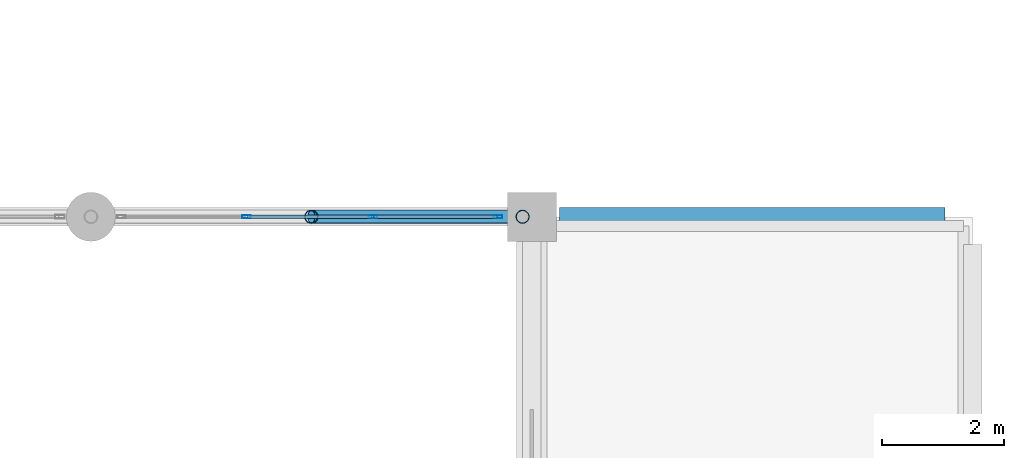
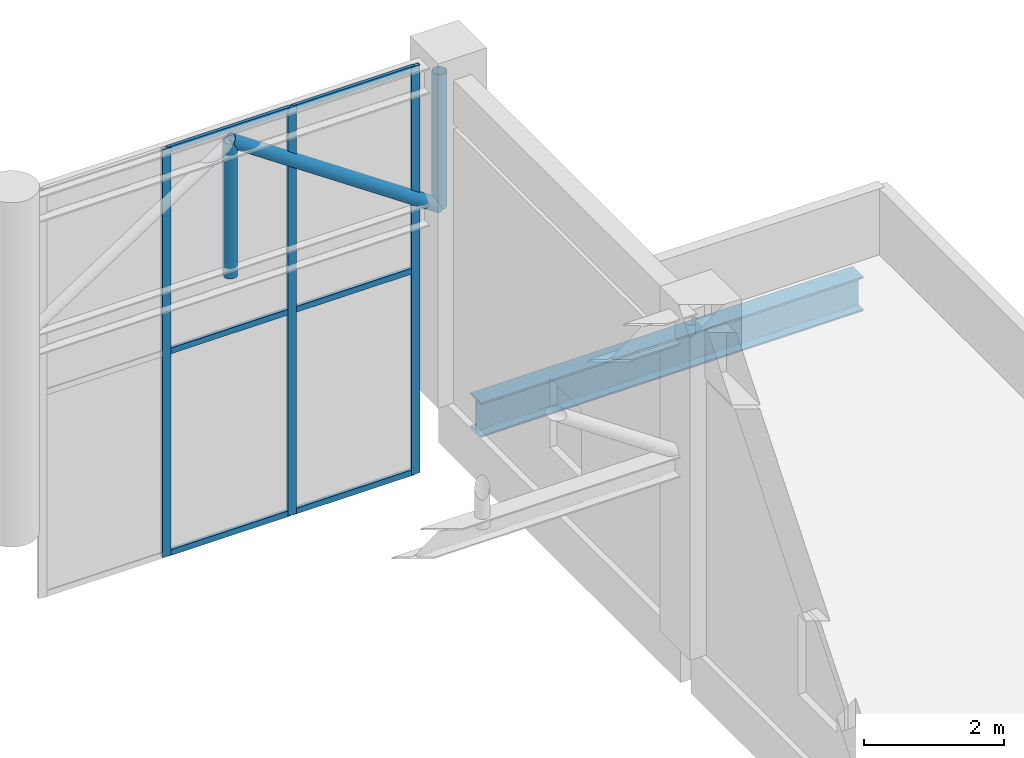
# One storey, part 108 of 153: 12 members, 1 beam, 1 element without a shape of its own.
"""IFC4 building model written with IfcOpenShell, lengths in metres."""

from ifc_helpers import new_model, si_unit, direction, frame, origin, origin_2d, place, context, subcontext, project, spatial, hollow_rectangle, hollow_circle, i_section, extrude, material, material_profile, profile_set, type_object, element, aggregate, save


model = new_model("IFC4")

# Units and contexts
model_context = context("Model", 3, precision=1e-05, world=origin(), true_north=direction((0.0, 1.0)))
body_context = subcontext(model_context, "Body", "Model", "MODEL_VIEW")
ifc_project = project(units=[si_unit("LENGTHUNIT", "METRE"), si_unit("AREAUNIT", "SQUARE_METRE"), si_unit("VOLUMEUNIT", "CUBIC_METRE"), si_unit("PLANEANGLEUNIT", "RADIAN"), si_unit("MASSUNIT", "GRAM", prefix="KILO")], contexts=[model_context])

# Site, building, storey
site_placement = place(None, origin())
site = spatial("IfcSite", under=ifc_project, at=site_placement, CompositionType="ELEMENT")
building_placement = place(site_placement, origin())
building = spatial("IfcBuilding", under=site, at=building_placement, Name="Qandorah Velis Arena", CompositionType="ELEMENT")
storey_placement = place(building_placement, frame((0.0, 0.0, 5.39990234375)))
storey = spatial("IfcBuildingStorey", under=building, at=storey_placement, Name="L01", CompositionType="ELEMENT", Elevation=5.39990234375)

# Curtain wall, members
ifc_material_1 = material(Name="Solar-control low-E double glazing", Category="glass")
curtain_wall_type = type_object("IfcCurtainWallType", Name="ARC-CW-SYS20", PredefinedType="USERDEFINED", material=ifc_material_1)
curtain_wall_placement = place(storey_placement, origin())
curtain_wall = element("IfcCurtainWall", 1, at=curtain_wall_placement, inside=storey, type_object=curtain_wall_type, Name="Unitised curtain wall L01-164", ObjectType="UNITISED CURTAIN WALL", PredefinedType="USERDEFINED")
ifc_material_2 = material(Name="Champagne-bronze anodized aluminium 6063-T6", Category="aluminium")
ifc_material_profile_1 = material_profile(ifc_material_2, hollow_rectangle(XDim=0.054931640625, YDim=0.139892578125, WallThickness=0.0029296875, at=origin_2d()), Name="ALU MULLION 55x140")
ifc_profile_set_1 = profile_set([ifc_material_profile_1], Name="Champagne-bronze anodized aluminium 6063-T6")
member_type_1 = type_object("IfcMemberType", Name="ARC-CWM-140", PredefinedType="MULLION", material=ifc_profile_set_1)
member_1_placement = place(storey_placement, frame((160.941650390625, 122.39990234375, -1.31494140625), z_axis=(0.0, 0.0, 1.0), x_axis=(0.0, 1.0, 0.0)))
member_1 = element("IfcMember", 2, at=member_1_placement, type_object=member_type_1, Name="CW20 mullion 2", PredefinedType="MULLION", context=body_context, shape_type="SweptSolid", body=[
    extrude(hollow_rectangle(XDim=0.054931640625, YDim=0.139892578125, WallThickness=0.0029296875, at=origin_2d()), origin(), (0.0, 0.0, 1.0), 7.110107421875),
])
member_2_placement = place(storey_placement, frame((163.00830078125, 122.39990234375, -1.31494140625), z_axis=(0.0, 0.0, 1.0), x_axis=(0.0, 1.0, 0.0)))
member_2 = element("IfcMember", 3, at=member_2_placement, type_object=member_type_1, Name="CW20 mullion 3", PredefinedType="MULLION", context=body_context, shape_type="SweptSolid", body=[
    extrude(hollow_rectangle(XDim=0.054931640625, YDim=0.139892578125, WallThickness=0.0029296875, at=origin_2d()), origin(), (0.0, 0.0, 1.0), 7.110107421875),
])
member_3_placement = place(storey_placement, frame((165.047607421875, 122.39990234375, -1.31494140625), z_axis=(0.0, 0.0, 1.0), x_axis=(0.0, 1.0, 0.0)))
member_3 = element("IfcMember", 4, at=member_3_placement, type_object=member_type_1, Name="CW20 mullion 4", PredefinedType="MULLION", context=body_context, shape_type="SweptSolid", body=[
    extrude(hollow_rectangle(XDim=0.054931640625, YDim=0.139892578125, WallThickness=0.0029296875, at=origin_2d()), origin(), (0.0, 0.0, 1.0), 7.110107421875),
])
ifc_material_profile_2 = material_profile(ifc_material_2, hollow_rectangle(XDim=0.054931640625, YDim=0.10009765625, WallThickness=0.0029296875, at=origin_2d()), Name="ALU TRANSOM 55x100")
ifc_profile_set_2 = profile_set([ifc_material_profile_2], Name="Champagne-bronze anodized aluminium 6063-T6")
member_type_2 = type_object("IfcMemberType", Name="ARC-CWT-100", PredefinedType="USERDEFINED", material=ifc_profile_set_2)
member_4_placement = place(storey_placement, frame((160.957275390625, 122.39990234375, -1.2724609375), z_axis=(1.0, 0.0, 0.0), x_axis=(0.0, 1.0, 0.0)))
member_4 = element("IfcMember", 5, at=member_4_placement, type_object=member_type_2, Name="CW20 transom 2.1", ObjectType="TRANSOM", PredefinedType="USERDEFINED", context=body_context, shape_type="SweptSolid", body=[
    extrude(hollow_rectangle(XDim=0.054931640625, YDim=0.10009765625, WallThickness=0.0029296875, at=origin_2d()), origin(), (0.0, 0.0, 1.0), 2.03564453125),
])
member_5_placement = place(storey_placement, frame((160.957275390625, 122.39990234375, 2.239990234375), z_axis=(1.0, 0.0, 0.0), x_axis=(0.0, 1.0, 0.0)))
member_5 = element("IfcMember", 6, at=member_5_placement, type_object=member_type_2, Name="CW20 transom 2.2", ObjectType="TRANSOM", PredefinedType="USERDEFINED", context=body_context, shape_type="SweptSolid", body=[
    extrude(hollow_rectangle(XDim=0.054931640625, YDim=0.10009765625, WallThickness=0.0029296875, at=origin_2d()), origin(), (0.0, 0.0, 1.0), 2.03564453125),
])
member_6_placement = place(storey_placement, frame((160.957275390625, 122.39990234375, 5.752685546875), z_axis=(1.0, 0.0, 0.0), x_axis=(0.0, 1.0, 0.0)))
member_6 = element("IfcMember", 7, at=member_6_placement, type_object=member_type_2, Name="CW20 transom 2.3", ObjectType="TRANSOM", PredefinedType="USERDEFINED", context=body_context, shape_type="SweptSolid", body=[
    extrude(hollow_rectangle(XDim=0.054931640625, YDim=0.10009765625, WallThickness=0.0029296875, at=origin_2d()), origin(), (0.0, 0.0, 1.0), 2.03564453125),
])
member_7_placement = place(storey_placement, frame((163.023681640625, 122.39990234375, -1.2724609375), z_axis=(1.0, 0.0, 0.0), x_axis=(0.0, 1.0, 0.0)))
member_7 = element("IfcMember", 8, at=member_7_placement, type_object=member_type_2, Name="CW20 transom 3.1", ObjectType="TRANSOM", PredefinedType="USERDEFINED", context=body_context, shape_type="SweptSolid", body=[
    extrude(hollow_rectangle(XDim=0.054931640625, YDim=0.10009765625, WallThickness=0.0029296875, at=origin_2d()), origin(), (0.0, 0.0, 1.0), 2.00830078125),
])
member_8_placement = place(storey_placement, frame((163.023681640625, 122.39990234375, 2.239990234375), z_axis=(1.0, 0.0, 0.0), x_axis=(0.0, 1.0, 0.0)))
member_8 = element("IfcMember", 9, at=member_8_placement, type_object=member_type_2, Name="CW20 transom 3.2", ObjectType="TRANSOM", PredefinedType="USERDEFINED", context=body_context, shape_type="SweptSolid", body=[
    extrude(hollow_rectangle(XDim=0.054931640625, YDim=0.10009765625, WallThickness=0.0029296875, at=origin_2d()), origin(), (0.0, 0.0, 1.0), 2.00830078125),
])
member_9_placement = place(storey_placement, frame((163.023681640625, 122.39990234375, 5.752685546875), z_axis=(1.0, 0.0, 0.0), x_axis=(0.0, 1.0, 0.0)))
member_9 = element("IfcMember", 10, at=member_9_placement, type_object=member_type_2, Name="CW20 transom 3.3", ObjectType="TRANSOM", PredefinedType="USERDEFINED", context=body_context, shape_type="SweptSolid", body=[
    extrude(hollow_rectangle(XDim=0.054931640625, YDim=0.10009765625, WallThickness=0.0029296875, at=origin_2d()), origin(), (0.0, 0.0, 1.0), 2.00830078125),
])
aggregate(curtain_wall, [member_1, member_2, member_3, member_4, member_5, member_6, member_7, member_8, member_9])

# Beam
ifc_material_3 = material(Name="Steel S355", Category="steel")
ifc_material_profile_3 = material_profile(ifc_material_3, i_section(OverallWidth=0.300048828125, OverallDepth=0.60009765625, WebThickness=0.015380859375, FlangeThickness=0.030029296875, FilletRadius=0.027099609375, at=origin_2d()), Name="HEB 600")
ifc_profile_set_3 = profile_set([ifc_material_profile_3], Name="Steel S355")
beam_type = type_object("IfcBeamType", Name="STR-BM-HEB600", PredefinedType="BEAM", material=ifc_profile_set_3)
beam_placement = place(storey_placement, frame((166.050048828125, 122.39990234375, -0.659912109375), z_axis=(1.0, 0.0, 0.0), x_axis=(0.0, 1.0, 0.0)))
element("IfcBeam", 11, at=beam_placement, inside=storey, type_object=beam_type, Name="Primary floor girder L01 X-203", PredefinedType="BEAM", context=body_context, shape_type="SweptSolid", body=[
    extrude(i_section(OverallWidth=0.300048828125, OverallDepth=0.60009765625, WebThickness=0.015380859375, FlangeThickness=0.030029296875, FilletRadius=0.027099609375, at=origin_2d()), origin(), (0.0, 0.0, 1.0), 6.300048828125),
])

# Members
ifc_material_profile_4 = material_profile(ifc_material_3, hollow_circle(Radius=0.109619140625, WallThickness=0.010009765625, at=origin_2d()), Name="CHS 219.1x10")
ifc_profile_set_4 = profile_set([ifc_material_profile_4], Name="Steel S355")
member_type_3 = type_object("IfcMemberType", Name="STR-SFD-CHS219X10", PredefinedType="STRUT", material=ifc_profile_set_4)
member_10_placement = place(storey_placement, frame((162.0, 122.39990234375, 3.205078125), z_axis=(0.0, 0.0, 1.0), x_axis=(1.0, 0.0, 0.0)))
element("IfcMember", 12, at=member_10_placement, inside=storey, type_object=member_type_3, Name="Practice court roof truss 5 vertical 12", PredefinedType="STRUT", context=body_context, shape_type="SweptSolid", body=[
    extrude(hollow_circle(Radius=0.109619140625, WallThickness=0.010009765625, at=origin_2d()), origin(), (0.0, 0.0, 1.0), 2.35009765625),
])
member_11_placement = place(storey_placement, frame((162.0, 122.39990234375, 5.55517578125), z_axis=(0.826466079645, 0.0, -0.562986517774), x_axis=(0.0, 1.0, 0.0)))
element("IfcMember", 13, at=member_11_placement, inside=storey, type_object=member_type_3, Name="Practice court roof truss 5 web diagonal 12", PredefinedType="STRUT", context=body_context, shape_type="SweptSolid", body=[
    extrude(hollow_circle(Radius=0.109619140625, WallThickness=0.010009765625, at=origin_2d()), origin(), (0.0, 0.0, 1.0), 4.17431640625),
])
member_12_placement = place(storey_placement, frame((165.449951171875, 122.39990234375, 3.205078125), z_axis=(0.0, 0.0, 1.0), x_axis=(1.0, 0.0, 0.0)))
element("IfcMember", 14, at=member_12_placement, inside=storey, type_object=member_type_3, Name="Practice court roof truss 5 end vertical", PredefinedType="STRUT", context=body_context, shape_type="SweptSolid", body=[
    extrude(hollow_circle(Radius=0.109619140625, WallThickness=0.010009765625, at=origin_2d()), origin(), (0.0, 0.0, 1.0), 2.35009765625),
])

save(model, "model.ifc")
